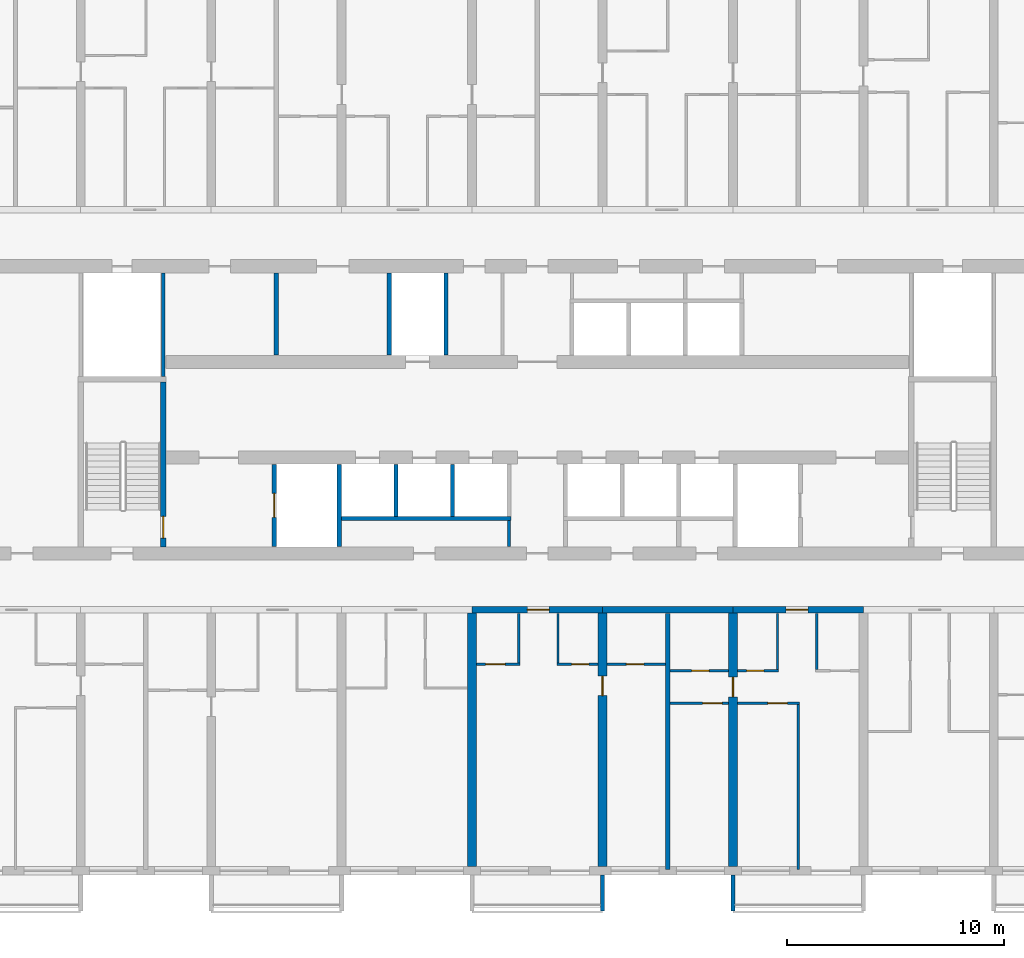
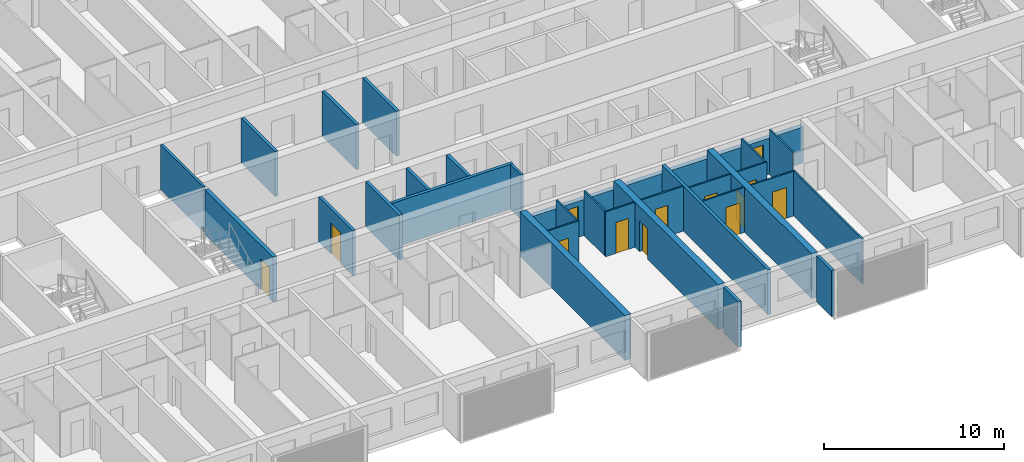
# One storey, part 6 of 38: 32 walls, 13 doors, 13 openings.
"""IFC4 building model written with IfcOpenShell, lengths in metres."""

from ifc_helpers import new_model, si_unit, direction, frame, frame_2d, origin, place, context, subcontext, project, spatial, polyline, rectangle, outline, extrude, source, transform, mapped, material, layer, layer_set, type_object, element, fill, save


model = new_model("IFC4")

# Units and contexts
model_context = context("Model", 3, precision=1e-05, world=origin(), true_north=direction((0.0, 1.0)))
body_context = subcontext(model_context, "Body", "Model", "MODEL_VIEW")
ifc_project = project(units=[si_unit("LENGTHUNIT", "METRE"), si_unit("AREAUNIT", "SQUARE_METRE"), si_unit("VOLUMEUNIT", "CUBIC_METRE"), si_unit("PLANEANGLEUNIT", "RADIAN"), si_unit("MASSUNIT", "GRAM", prefix="KILO")], contexts=[model_context])

# Site, building, storey
site_placement = place(None, origin())
site = spatial("IfcSite", under=ifc_project, at=site_placement, CompositionType="ELEMENT")
building_placement = place(site_placement, origin())
building = spatial("IfcBuilding", under=site, at=building_placement, Name="Poui Terraces", CompositionType="ELEMENT")
storey_placement = place(building_placement, frame((0.0, 0.0, 43.199951171875)))
storey = spatial("IfcBuildingStorey", under=building, at=storey_placement, Name="L11", CompositionType="ELEMENT", Elevation=43.199951171875)

# Wall
ifc_material_1 = material(Name="Fire-rated plasterboard wall")
ifc_layer_1 = layer(ifc_material_1, 0.14990234375)
ifc_layer_set_1 = layer_set([ifc_layer_1], Name="Fire-rated plasterboard wall")
wall_type_1 = type_object("IfcWallType", Name="CORRIDOR WALL 150", PredefinedType="PARTITIONING", material=ifc_layer_set_1)
wall_1_placement = place(storey_placement, frame((49.699951171875, 14.909912109375, 0.0), z_axis=(0.0, 0.0, 1.0), x_axis=(0.0, 1.0, 0.0)))
element("IfcWall", 1, at=wall_1_placement, inside=storey, type_object=wall_type_1, Name="CORRIDOR WALL 150", PredefinedType="PARTITIONING", context=body_context, shape_type="SweptSolid", body=[
    extrude(rectangle(XDim=1.190185546875, YDim=0.14990234375, at=frame_2d((0.59521484375, 0.0))), origin(), (0.0, 0.0, 1.0), 3.050048828125),
])

# Wall, opening, door
ifc_material_2 = material(Name="Concrete 80 MPa", Category="concrete")
ifc_layer_2 = layer(ifc_material_2, 0.300048828125)
ifc_layer_set_2 = layer_set([ifc_layer_2], Name="Concrete 80 MPa")
wall_type_2 = type_object("IfcWallType", Name="CORRIDOR WALL 300 80MPa", PredefinedType="SHEAR", material=ifc_layer_set_2)
wall_2_placement = place(storey_placement, frame((48.0, 12.0, 0.0), z_axis=(0.0, 0.0, 1.0), x_axis=(1.0, 0.0, 0.0)))
wall_2 = element("IfcWall", 2, at=wall_2_placement, inside=storey, type_object=wall_type_2, Name="CORRIDOR WALL LINE B BAY 9", PredefinedType="SHEAR", context=body_context, shape_type="SweptSolid", body=[
    extrude(rectangle(XDim=6.0, YDim=0.300048828125, at=frame_2d((3.0, 0.0))), origin(), (0.0, 0.0, 1.0), 2.449951171875),
])
opening_1_placement = place(wall_2_placement, frame((2.550048828125, 0.0, 0.0)))
opening_1 = element("IfcOpeningElement", 3, at=opening_1_placement, cuts=wall_2, Name="Opening FD30S", PredefinedType="OPENING", context=body_context, shape_type="SweptSolid", body=[
    extrude(rectangle(XDim=1.0, YDim=2.10009765625, at=frame_2d((0.5, 1.050048828125))), frame((0.0, 0.16015625, 0.0), z_axis=(0.0, -1.0, 0.0), x_axis=(1.0, 0.0, 0.0)), (0.0, 0.0, 1.0), 0.320068359375),
])
ifc_material_3 = material(Name="Steel fire door", Category="steel")
door_type_1 = type_object("IfcDoorType", Name="FLAT ENTRANCE DOOR 1000 X 2100", OperationType="NOTDEFINED", PredefinedType="DOOR", material=ifc_material_3)
door_1_placement = place(opening_1_placement, frame((1.0, 0.0, 0.0), z_axis=(0.0, 0.0, 1.0), x_axis=(-1.0, 0.0, 0.0)))
door_1 = element("IfcDoor", 4, at=door_1_placement, inside=storey, type_object=door_type_1, Name="FLAT ENTRANCE DOOR 119", OperationType="SINGLE_SWING_LEFT", OverallHeight=2.10009765625, OverallWidth=1.0, PredefinedType="DOOR", context=body_context, shape_type="SweptSolid", body=[
    extrude(rectangle(XDim=1.0, YDim=2.10009765625, at=frame_2d((0.5, 1.050048828125))), frame((0.0, 0.02490234375, 0.0), z_axis=(0.0, -1.0, 0.0), x_axis=(1.0, 0.0, 0.0)), (0.0, 0.0, 1.0), 0.050048828125),
])
fill(opening_1, door_1)

# Wall
wall_3_placement = place(storey_placement, frame((54.0, 12.0, 0.0), z_axis=(0.0, 0.0, 1.0), x_axis=(1.0, 0.0, 0.0)))
element("IfcWall", 5, at=wall_3_placement, inside=storey, type_object=wall_type_2, Name="CORRIDOR WALL LINE B BAY 10", PredefinedType="SHEAR", context=body_context, shape_type="SweptSolid", body=[
    extrude(rectangle(XDim=6.0, YDim=0.300048828125, at=frame_2d((3.0, 0.0))), origin(), (0.0, 0.0, 1.0), 2.449951171875),
])

# Wall, opening, door
wall_4_placement = place(storey_placement, frame((60.0, 12.0, 0.0), z_axis=(0.0, 0.0, 1.0), x_axis=(1.0, 0.0, 0.0)))
wall_4 = element("IfcWall", 6, at=wall_4_placement, inside=storey, type_object=wall_type_2, Name="CORRIDOR WALL LINE B BAY 11", PredefinedType="SHEAR", context=body_context, shape_type="SweptSolid", body=[
    extrude(rectangle(XDim=6.0, YDim=0.300048828125, at=frame_2d((3.0, 0.0))), origin(), (0.0, 0.0, 1.0), 2.449951171875),
])
opening_2_placement = place(wall_4_placement, frame((2.449951171875, 0.0, 0.0)))
opening_2 = element("IfcOpeningElement", 7, at=opening_2_placement, cuts=wall_4, Name="Opening FD30S", PredefinedType="OPENING", context=body_context, shape_type="SweptSolid", body=[
    extrude(rectangle(XDim=1.0, YDim=2.10009765625, at=frame_2d((0.5, 1.050048828125))), frame((0.0, 0.16015625, 0.0), z_axis=(0.0, -1.0, 0.0), x_axis=(1.0, 0.0, 0.0)), (0.0, 0.0, 1.0), 0.320068359375),
])
door_2_placement = place(opening_2_placement, frame((1.0, 0.0, 0.0), z_axis=(0.0, 0.0, 1.0), x_axis=(-1.0, 0.0, 0.0)))
door_2 = element("IfcDoor", 8, at=door_2_placement, inside=storey, type_object=door_type_1, Name="FLAT ENTRANCE DOOR 127", OperationType="SINGLE_SWING_RIGHT", OverallHeight=2.10009765625, OverallWidth=1.0, PredefinedType="DOOR", context=body_context, shape_type="SweptSolid", body=[
    extrude(rectangle(XDim=1.0, YDim=2.10009765625, at=frame_2d((0.5, 1.050048828125))), frame((0.0, 0.02490234375, 0.0), z_axis=(0.0, -1.0, 0.0), x_axis=(1.0, 0.0, 0.0)), (0.0, 0.0, 1.0), 0.050048828125),
])
fill(opening_2, door_2)

# Wall
ifc_layer_3 = layer(ifc_material_2, 0.39990234375)
ifc_layer_set_3 = layer_set([ifc_layer_3], Name="Concrete 80 MPa")
wall_type_3 = type_object("IfcWallType", Name="CROSS WALL 400 80MPa", PredefinedType="SHEAR", material=ifc_layer_set_3)
wall_5_placement = place(storey_placement, frame((48.0, 0.199951171875, 0.0), z_axis=(0.0, 0.0, 1.0), x_axis=(0.0, 1.0, 0.0)))
element("IfcWall", 9, at=wall_5_placement, inside=storey, type_object=wall_type_3, Name="CROSS WALL LINE 9 SOUTH", PredefinedType="SHEAR", context=body_context, shape_type="SweptSolid", body=[
    extrude(rectangle(XDim=11.650146484375, YDim=0.39990234375, at=frame_2d((5.8251953125, 0.0))), origin(), (0.0, 0.0, 1.0), 3.050048828125),
])

# Wall, opening, door
wall_6_placement = place(storey_placement, frame((54.0, 0.199951171875, 0.0), z_axis=(0.0, 0.0, 1.0), x_axis=(0.0, 1.0, 0.0)))
wall_6 = element("IfcWall", 10, at=wall_6_placement, inside=storey, type_object=wall_type_3, Name="CROSS WALL LINE 10 SOUTH", PredefinedType="SHEAR", context=body_context, shape_type="SweptSolid", body=[
    extrude(rectangle(XDim=11.650146484375, YDim=0.39990234375, at=frame_2d((5.8251953125, 0.0))), origin(), (0.0, 0.0, 1.0), 3.050048828125),
])
opening_3_placement = place(wall_6_placement, frame((7.85009765625, 0.0, 0.0)))
opening_3 = element("IfcOpeningElement", 11, at=opening_3_placement, cuts=wall_6, Name="Opening D90", PredefinedType="OPENING", context=body_context, shape_type="SweptSolid", body=[
    extrude(rectangle(XDim=0.89990234375, YDim=2.10009765625, at=frame_2d((0.449951171875, 1.050048828125))), frame((0.0, 0.2099609375, 0.0), z_axis=(0.0, -1.0, 0.0), x_axis=(1.0, 0.0, 0.0)), (0.0, 0.0, 1.0), 0.419921875),
])
ifc_material_4 = material(Name="Solid core timber door", Category="wood")
door_type_2 = type_object("IfcDoorType", Name="INTERNAL DOOR 900 X 2100", OperationType="NOTDEFINED", PredefinedType="DOOR", material=ifc_material_4)
door_3_placement = place(opening_3_placement, frame((0.89990234375, 0.0, 0.0), z_axis=(0.0, 0.0, 1.0), x_axis=(-1.0, 0.0, 0.0)))
door_3 = element("IfcDoor", 12, at=door_3_placement, inside=storey, type_object=door_type_2, Name="INTERNAL DOOR 121", OperationType="SINGLE_SWING_LEFT", OverallHeight=2.10009765625, OverallWidth=0.89990234375, PredefinedType="DOOR", context=body_context, shape_type="SweptSolid", body=[
    extrude(rectangle(XDim=0.89990234375, YDim=2.10009765625, at=frame_2d((0.449951171875, 1.050048828125))), frame((0.0, 0.02490234375, 0.0), z_axis=(0.0, -1.0, 0.0), x_axis=(1.0, 0.0, 0.0)), (0.0, 0.0, 1.0), 0.050048828125),
])
fill(opening_3, door_3)

wall_7_placement = place(storey_placement, frame((60.0, 0.199951171875, 0.0), z_axis=(0.0, 0.0, 1.0), x_axis=(0.0, 1.0, 0.0)))
wall_7 = element("IfcWall", 13, at=wall_7_placement, inside=storey, type_object=wall_type_3, Name="CROSS WALL LINE 11 SOUTH", PredefinedType="SHEAR", context=body_context, shape_type="SweptSolid", body=[
    extrude(rectangle(XDim=11.650146484375, YDim=0.39990234375, at=frame_2d((5.8251953125, 0.0))), origin(), (0.0, 0.0, 1.0), 3.050048828125),
])
opening_4_placement = place(wall_7_placement, frame((7.800048828125, 0.0, 0.0)))
opening_4 = element("IfcOpeningElement", 14, at=opening_4_placement, cuts=wall_7, Name="Opening D90", PredefinedType="OPENING", context=body_context, shape_type="SweptSolid", body=[
    extrude(rectangle(XDim=0.89990234375, YDim=2.10009765625, at=frame_2d((0.449951171875, 1.050048828125))), frame((0.0, 0.2099609375, 0.0), z_axis=(0.0, -1.0, 0.0), x_axis=(1.0, 0.0, 0.0)), (0.0, 0.0, 1.0), 0.419921875),
])
door_4_placement = place(opening_4_placement, frame((0.89990234375, 0.0, 0.0), z_axis=(0.0, 0.0, 1.0), x_axis=(-1.0, 0.0, 0.0)))
door_4 = element("IfcDoor", 15, at=door_4_placement, inside=storey, type_object=door_type_2, Name="INTERNAL DOOR 124", OperationType="SINGLE_SWING_LEFT", OverallHeight=2.10009765625, OverallWidth=0.89990234375, PredefinedType="DOOR", context=body_context, shape_type="SweptSolid", body=[
    extrude(rectangle(XDim=0.89990234375, YDim=2.10009765625, at=frame_2d((0.449951171875, 1.050048828125))), frame((0.0, 0.02490234375, 0.0), z_axis=(0.0, -1.0, 0.0), x_axis=(1.0, 0.0, 0.0)), (0.0, 0.0, 1.0), 0.050048828125),
])
fill(opening_4, door_4)

ifc_material_5 = material(Name="Plasterboard partition")
ifc_layer_4 = layer(ifc_material_5, 0.10009765625)
ifc_layer_set_4 = layer_set([ifc_layer_4], Name="Plasterboard partition")
wall_type_4 = type_object("IfcWallType", Name="FLAT PARTITION 100", PredefinedType="PARTITIONING", material=ifc_layer_set_4)
wall_8_placement = place(storey_placement, frame((57.10009765625, 7.699951171875, 0.0), z_axis=(0.0, 0.0, 1.0), x_axis=(1.0, 0.0, 0.0)))
wall_8 = element("IfcWall", 16, at=wall_8_placement, inside=storey, type_object=wall_type_4, Name="FLAT PARTITION 100", PredefinedType="PARTITIONING", context=body_context, shape_type="SweptSolid", body=[
    extrude(rectangle(XDim=2.68994140625, YDim=0.10009765625, at=frame_2d((1.344970703125, 0.0))), origin(), (0.0, 0.0, 1.0), 3.050048828125),
])
opening_5_placement = place(wall_8_placement, frame((1.5, 0.0, 0.0)))
opening_5 = element("IfcOpeningElement", 17, at=opening_5_placement, cuts=wall_8, Name="Opening D90", PredefinedType="OPENING", context=body_context, shape_type="SweptSolid", body=[
    extrude(rectangle(XDim=0.89990234375, YDim=2.10009765625, at=frame_2d((0.449951171875, 1.050048828125))), frame((0.0, 0.06005859375, 0.0), z_axis=(0.0, -1.0, 0.0), x_axis=(1.0, 0.0, 0.0)), (0.0, 0.0, 1.0), 0.1201171875),
])
door_5_placement = place(opening_5_placement, frame((0.89990234375, 0.0, 0.0), z_axis=(0.0, 0.0, 1.0), x_axis=(-1.0, 0.0, 0.0)))
door_5 = element("IfcDoor", 18, at=door_5_placement, inside=storey, type_object=door_type_2, Name="INTERNAL DOOR 123", OperationType="SINGLE_SWING_LEFT", OverallHeight=2.10009765625, OverallWidth=0.89990234375, PredefinedType="DOOR", context=body_context, shape_type="SweptSolid", body=[
    extrude(rectangle(XDim=0.89990234375, YDim=2.10009765625, at=frame_2d((0.449951171875, 1.050048828125))), frame((0.0, 0.02490234375, 0.0), z_axis=(0.0, -1.0, 0.0), x_axis=(1.0, 0.0, 0.0)), (0.0, 0.0, 1.0), 0.050048828125),
])
fill(opening_5, door_5)

wall_9_placement = place(storey_placement, frame((60.2099609375, 7.699951171875, 0.0), z_axis=(0.0, 0.0, 1.0), x_axis=(1.0, 0.0, 0.0)))
wall_9 = element("IfcWall", 19, at=wall_9_placement, inside=storey, type_object=wall_type_4, Name="FLAT PARTITION 100", PredefinedType="PARTITIONING", context=body_context, shape_type="SweptSolid", body=[
    extrude(rectangle(XDim=2.840087890625, YDim=0.10009765625, at=frame_2d((1.419921875, 0.0))), origin(), (0.0, 0.0, 1.0), 3.050048828125),
])
opening_6_placement = place(wall_9_placement, frame((1.389892578125, 0.0, 0.0)))
opening_6 = element("IfcOpeningElement", 20, at=opening_6_placement, cuts=wall_9, Name="Opening D90", PredefinedType="OPENING", context=body_context, shape_type="SweptSolid", body=[
    extrude(rectangle(XDim=0.89990234375, YDim=2.10009765625, at=frame_2d((0.449951171875, 1.050048828125))), frame((0.0, 0.06005859375, 0.0), z_axis=(0.0, -1.0, 0.0), x_axis=(1.0, 0.0, 0.0)), (0.0, 0.0, 1.0), 0.1201171875),
])
door_6_placement = place(opening_6_placement, origin())
door_6 = element("IfcDoor", 21, at=door_6_placement, inside=storey, type_object=door_type_2, Name="INTERNAL DOOR 126", OperationType="SINGLE_SWING_LEFT", OverallHeight=2.10009765625, OverallWidth=0.89990234375, PredefinedType="DOOR", context=body_context, shape_type="SweptSolid", body=[
    extrude(rectangle(XDim=0.89990234375, YDim=2.10009765625, at=frame_2d((0.449951171875, 1.050048828125))), frame((0.0, 0.02490234375, 0.0), z_axis=(0.0, -1.0, 0.0), x_axis=(1.0, 0.0, 0.0)), (0.0, 0.0, 1.0), 0.050048828125),
])
fill(opening_6, door_6)

wall_10_placement = place(storey_placement, frame((57.10009765625, 9.199951171875, 0.0), z_axis=(0.0, 0.0, 1.0), x_axis=(1.0, 0.0, 0.0)))
wall_10 = element("IfcWall", 22, at=wall_10_placement, inside=storey, type_object=wall_type_4, Name="FLAT PARTITION 100", PredefinedType="PARTITIONING", context=body_context, shape_type="SweptSolid", body=[
    extrude(rectangle(XDim=2.68994140625, YDim=0.10009765625, at=frame_2d((1.344970703125, 0.0))), origin(), (0.0, 0.0, 1.0), 3.050048828125),
])
opening_7_placement = place(wall_10_placement, frame((1.0, 0.0, 0.0)))
opening_7 = element("IfcOpeningElement", 23, at=opening_7_placement, cuts=wall_10, Name="Opening D80", PredefinedType="OPENING", context=body_context, shape_type="SweptSolid", body=[
    extrude(rectangle(XDim=0.800048828125, YDim=2.10009765625, at=frame_2d((0.39990234375, 1.050048828125))), frame((0.0, 0.06005859375, 0.0), z_axis=(0.0, -1.0, 0.0), x_axis=(1.0, 0.0, 0.0)), (0.0, 0.0, 1.0), 0.1201171875),
])
door_type_3 = type_object("IfcDoorType", Name="BATHROOM, LAUNDRY AND STORE DOOR 800 X 2100", OperationType="NOTDEFINED", PredefinedType="DOOR", material=ifc_material_4)
door_7_placement = place(opening_7_placement, origin())
door_7 = element("IfcDoor", 24, at=door_7_placement, inside=storey, type_object=door_type_3, Name="BATHROOM, LAUNDRY AND STORE DOOR 122", OperationType="SINGLE_SWING_LEFT", OverallHeight=2.10009765625, OverallWidth=0.800048828125, PredefinedType="DOOR", context=body_context, shape_type="SweptSolid", body=[
    extrude(rectangle(XDim=0.800048828125, YDim=2.10009765625, at=frame_2d((0.39990234375, 1.050048828125))), frame((0.0, 0.02490234375, 0.0), z_axis=(0.0, -1.0, 0.0), x_axis=(1.0, 0.0, 0.0)), (0.0, 0.0, 1.0), 0.050048828125),
])
fill(opening_7, door_7)

wall_11_placement = place(storey_placement, frame((60.2099609375, 9.199951171875, 0.0), z_axis=(0.0, 0.0, 1.0), x_axis=(1.0, 0.0, 0.0)))
wall_11 = element("IfcWall", 25, at=wall_11_placement, inside=storey, type_object=wall_type_4, Name="FLAT PARTITION 100", PredefinedType="PARTITIONING", context=body_context, shape_type="SweptSolid", body=[
    extrude(rectangle(XDim=1.89013671875, YDim=0.10009765625, at=frame_2d((0.945068359375, 0.0))), origin(), (0.0, 0.0, 1.0), 3.050048828125),
])
opening_8_placement = place(wall_11_placement, frame((0.4150390625, 0.0, 0.0)))
opening_8 = element("IfcOpeningElement", 26, at=opening_8_placement, cuts=wall_11, Name="Opening D80", PredefinedType="OPENING", context=body_context, shape_type="SweptSolid", body=[
    extrude(rectangle(XDim=0.800048828125, YDim=2.10009765625, at=frame_2d((0.39990234375, 1.050048828125))), frame((0.0, 0.06005859375, 0.0), z_axis=(0.0, -1.0, 0.0), x_axis=(1.0, 0.0, 0.0)), (0.0, 0.0, 1.0), 0.1201171875),
])
door_8_placement = place(opening_8_placement, origin())
door_8 = element("IfcDoor", 27, at=door_8_placement, inside=storey, type_object=door_type_3, Name="BATHROOM, LAUNDRY AND STORE DOOR 125", OperationType="SINGLE_SWING_RIGHT", OverallHeight=2.10009765625, OverallWidth=0.800048828125, PredefinedType="DOOR", context=body_context, shape_type="SweptSolid", body=[
    extrude(rectangle(XDim=0.800048828125, YDim=2.10009765625, at=frame_2d((0.39990234375, 1.050048828125))), frame((0.0, 0.02490234375, 0.0), z_axis=(0.0, -1.0, 0.0), x_axis=(1.0, 0.0, 0.0)), (0.0, 0.0, 1.0), 0.050048828125),
])
fill(opening_8, door_8)

wall_12_placement = place(storey_placement, frame((48.2099609375, 9.5, 0.0), z_axis=(0.0, 0.0, 1.0), x_axis=(1.0, 0.0, 0.0)))
wall_12 = element("IfcWall", 28, at=wall_12_placement, inside=storey, type_object=wall_type_4, Name="FLAT PARTITION 100", PredefinedType="PARTITIONING", context=body_context, shape_type="SweptSolid", body=[
    extrude(rectangle(XDim=1.989990234375, YDim=0.10009765625, at=frame_2d((0.9951171875, 0.0))), origin(), (0.0, 0.0, 1.0), 3.050048828125),
])
opening_9_placement = place(wall_12_placement, frame((0.4150390625, 0.0, 0.0)))
opening_9 = element("IfcOpeningElement", 29, at=opening_9_placement, cuts=wall_12, Name="Opening D90", PredefinedType="OPENING", context=body_context, shape_type="SweptSolid", body=[
    extrude(rectangle(XDim=0.89990234375, YDim=2.10009765625, at=frame_2d((0.449951171875, 1.050048828125))), frame((0.0, 0.06005859375, 0.0), z_axis=(0.0, -1.0, 0.0), x_axis=(1.0, 0.0, 0.0)), (0.0, 0.0, 1.0), 0.1201171875),
])
door_9_placement = place(opening_9_placement, origin())
door_9 = element("IfcDoor", 30, at=door_9_placement, inside=storey, type_object=door_type_2, Name="INTERNAL DOOR 118", OperationType="SINGLE_SWING_RIGHT", OverallHeight=2.10009765625, OverallWidth=0.89990234375, PredefinedType="DOOR", context=body_context, shape_type="SweptSolid", body=[
    extrude(rectangle(XDim=0.89990234375, YDim=2.10009765625, at=frame_2d((0.449951171875, 1.050048828125))), frame((0.0, 0.02490234375, 0.0), z_axis=(0.0, -1.0, 0.0), x_axis=(1.0, 0.0, 0.0)), (0.0, 0.0, 1.0), 0.050048828125),
])
fill(opening_9, door_9)

wall_13_placement = place(storey_placement, frame((51.89990234375, 9.5, 0.0), z_axis=(0.0, 0.0, 1.0), x_axis=(1.0, 0.0, 0.0)))
wall_13 = element("IfcWall", 31, at=wall_13_placement, inside=storey, type_object=wall_type_4, Name="FLAT PARTITION 100", PredefinedType="PARTITIONING", context=body_context, shape_type="SweptSolid", body=[
    extrude(rectangle(XDim=1.89013671875, YDim=0.10009765625, at=frame_2d((0.945068359375, 0.0))), origin(), (0.0, 0.0, 1.0), 3.050048828125),
])
opening_10_placement = place(wall_13_placement, frame((0.675048828125, 0.0, 0.0)))
opening_10 = element("IfcOpeningElement", 32, at=opening_10_placement, cuts=wall_13, Name="Opening D80", PredefinedType="OPENING", context=body_context, shape_type="SweptSolid", body=[
    extrude(rectangle(XDim=0.800048828125, YDim=2.10009765625, at=frame_2d((0.39990234375, 1.050048828125))), frame((0.0, 0.06005859375, 0.0), z_axis=(0.0, -1.0, 0.0), x_axis=(1.0, 0.0, 0.0)), (0.0, 0.0, 1.0), 0.1201171875),
])
door_10_placement = place(opening_10_placement, origin())
door_10 = element("IfcDoor", 33, at=door_10_placement, inside=storey, type_object=door_type_3, Name="BATHROOM, LAUNDRY AND STORE DOOR 120", OperationType="SINGLE_SWING_LEFT", OverallHeight=2.10009765625, OverallWidth=0.800048828125, PredefinedType="DOOR", context=body_context, shape_type="SweptSolid", body=[
    extrude(rectangle(XDim=0.800048828125, YDim=2.10009765625, at=frame_2d((0.39990234375, 1.050048828125))), frame((0.0, 0.02490234375, 0.0), z_axis=(0.0, -1.0, 0.0), x_axis=(1.0, 0.0, 0.0)), (0.0, 0.0, 1.0), 0.050048828125),
])
fill(opening_10, door_10)

wall_14_placement = place(storey_placement, frame((54.2099609375, 9.5, 0.0), z_axis=(0.0, 0.0, 1.0), x_axis=(1.0, 0.0, 0.0)))
wall_14 = element("IfcWall", 34, at=wall_14_placement, inside=storey, type_object=wall_type_4, Name="FLAT PARTITION 100", PredefinedType="PARTITIONING", context=body_context, shape_type="SweptSolid", body=[
    extrude(rectangle(XDim=2.68994140625, YDim=0.10009765625, at=frame_2d((1.344970703125, 0.0))), origin(), (0.0, 0.0, 1.0), 3.050048828125),
])
opening_11_placement = place(wall_14_placement, frame((0.889892578125, 0.0, 0.0)))
opening_11 = element("IfcOpeningElement", 35, at=opening_11_placement, cuts=wall_14, Name="Opening D80", PredefinedType="OPENING", context=body_context, shape_type="SweptSolid", body=[
    extrude(rectangle(XDim=0.800048828125, YDim=2.10009765625, at=frame_2d((0.39990234375, 1.050048828125))), frame((0.0, 0.06005859375, 0.0), z_axis=(0.0, -1.0, 0.0), x_axis=(1.0, 0.0, 0.0)), (0.0, 0.0, 1.0), 0.1201171875),
])
door_11_placement = place(opening_11_placement, origin())
door_11 = element("IfcDoor", 36, at=door_11_placement, inside=storey, type_object=door_type_3, Name="BATHROOM, LAUNDRY AND STORE DOOR 117", OperationType="SINGLE_SWING_LEFT", OverallHeight=2.10009765625, OverallWidth=0.800048828125, PredefinedType="DOOR", context=body_context, shape_type="SweptSolid", body=[
    extrude(rectangle(XDim=0.800048828125, YDim=2.10009765625, at=frame_2d((0.39990234375, 1.050048828125))), frame((0.0, 0.02490234375, 0.0), z_axis=(0.0, -1.0, 0.0), x_axis=(1.0, 0.0, 0.0)), (0.0, 0.0, 1.0), 0.050048828125),
])
fill(opening_11, door_11)

# Walls
for number, where, z_axis, x_axis, name in (
    (37, (50.14990234375, 9.550048828125, 0.0), (0.0, 0.0, 1.0), (0.0, 1.0, 0.0), "FLAT PARTITION 100"),
    (38, (51.949951171875, 9.550048828125, 0.0), (0.0, 0.0, 1.0), (0.0, 1.0, 0.0), "FLAT PARTITION 100"),
):
    element("IfcWall", number, at=place(storey_placement, frame(where, z_axis=z_axis, x_axis=x_axis)), inside=storey, type_object=wall_type_4, Name=name, PredefinedType="PARTITIONING", context=body_context, shape_type="SweptSolid", body=[
        extrude(rectangle(XDim=2.2900390625, YDim=0.10009765625, at=frame_2d((1.14501953125, 0.0))), origin(), (0.0, 0.0, 1.0), 3.050048828125),
    ])
wall_15_placement = place(storey_placement, frame((62.050048828125, 9.25, 0.0), z_axis=(0.0, 0.0, 1.0), x_axis=(0.0, 1.0, 0.0)))
element("IfcWall", 39, at=wall_15_placement, inside=storey, type_object=wall_type_4, Name="FLAT PARTITION 100", PredefinedType="PARTITIONING", context=body_context, shape_type="SweptSolid", body=[
    extrude(rectangle(XDim=2.590087890625, YDim=0.10009765625, at=frame_2d((1.294921875, 0.0))), origin(), (0.0, 0.0, 1.0), 3.050048828125),
])
wall_16_placement = place(storey_placement, frame((63.0, 0.06005859375, 0.0), z_axis=(0.0, 0.0, 1.0), x_axis=(0.0, 1.0, 0.0)))
element("IfcWall", 40, at=wall_16_placement, inside=storey, type_object=wall_type_4, Name="FLAT PARTITION 100", PredefinedType="PARTITIONING", context=body_context, shape_type="SweptSolid", body=[
    extrude(rectangle(XDim=7.58984375, YDim=0.10009765625, at=frame_2d((3.794921875, 0.0))), origin(), (0.0, 0.0, 1.0), 3.050048828125),
])
wall_17_placement = place(storey_placement, frame((63.85009765625, 9.25, 0.0), z_axis=(0.0, 0.0, 1.0), x_axis=(0.0, 1.0, 0.0)))
element("IfcWall", 41, at=wall_17_placement, inside=storey, type_object=wall_type_4, Name="FLAT PARTITION 100", PredefinedType="PARTITIONING", context=body_context, shape_type="SweptSolid", body=[
    extrude(rectangle(XDim=2.590087890625, YDim=0.10009765625, at=frame_2d((1.294921875, 0.0))), origin(), (0.0, 0.0, 1.0), 3.050048828125),
])
ifc_material_6 = material(Name="Fire-rated masonry wall", Category="masonry")
ifc_layer_5 = layer(ifc_material_6, 0.199951171875)
ifc_layer_set_5 = layer_set([ifc_layer_5], Name="Fire-rated masonry wall")
wall_type_5 = type_object("IfcWallType", Name="FLAT PARTY WALL 200", PredefinedType="PARTITIONING", material=ifc_layer_set_5)
wall_18_placement = place(storey_placement, frame((57.0, 0.06005859375, 0.0), z_axis=(0.0, 0.0, 1.0), x_axis=(0.0, 1.0, 0.0)))
element("IfcWall", 42, at=wall_18_placement, inside=storey, type_object=wall_type_5, Name="FLAT PARTY WALL 200", PredefinedType="PARTITIONING", context=body_context, shape_type="SweptSolid", body=[
    extrude(rectangle(XDim=11.780029296875, YDim=0.199951171875, at=frame_2d((5.89013671875, 0.0))), origin(), (0.0, 0.0, 1.0), 3.050048828125),
])
ifc_layer_6 = layer(ifc_material_6, 0.199951171875)
ifc_layer_set_6 = layer_set([ifc_layer_6], Name="Fire-rated masonry wall")
wall_type_6 = type_object("IfcWallType", Name="PLANT ROOM WALL 200", PredefinedType="PARTITIONING", material=ifc_layer_set_6)
wall_19_placement = place(storey_placement, frame((39.0, 23.7099609375, 0.0), z_axis=(0.0, 0.0, 1.0), x_axis=(0.0, 1.0, 0.0)))
element("IfcWall", 43, at=wall_19_placement, inside=storey, type_object=wall_type_6, Name="PLANT ROOM WALL 200", PredefinedType="PARTITIONING", context=body_context, shape_type="SweptSolid", body=[
    extrude(rectangle(XDim=3.780029296875, YDim=0.199951171875, at=frame_2d((1.89013671875, 0.0))), origin(), (0.0, 0.0, 1.0), 3.050048828125),
])
ifc_material_7 = material(Name="Fire-rated plasterboard riser wall")
ifc_layer_7 = layer(ifc_material_7, 0.14990234375)
ifc_layer_set_7 = layer_set([ifc_layer_7], Name="Fire-rated plasterboard riser wall")
wall_type_7 = type_object("IfcWallType", Name="RISER WALL 150", PredefinedType="PARTITIONING", material=ifc_layer_set_7)
wall_20_placement = place(storey_placement, frame((33.800048828125, 22.735107421875, 0.0), z_axis=(0.0, 0.0, 1.0), x_axis=(0.0, 1.0, 0.0)))
element("IfcWall", 44, at=wall_20_placement, inside=storey, type_object=wall_type_7, Name="RISER WALL 150", PredefinedType="PARTITIONING", context=body_context, shape_type="SweptSolid", body=[
    extrude(rectangle(XDim=4.7548828125, YDim=0.14990234375, at=frame_2d((2.37744140625, 0.0))), origin(), (0.0, 0.0, 1.0), 3.050048828125),
])
ifc_material_8 = material(Name="Fire-rated masonry shaft wall", Category="masonry")
ifc_layer_8 = layer(ifc_material_8, 0.199951171875)
ifc_layer_set_8 = layer_set([ifc_layer_8], Name="Fire-rated masonry shaft wall")
wall_type_8 = type_object("IfcWallType", Name="SHAFT WALL 200", PredefinedType="PARTITIONING", material=ifc_layer_set_8)
wall_21_placement = place(storey_placement, frame((42.0, 16.199951171875, 0.0), z_axis=(0.0, 0.0, 1.0), x_axis=(1.0, 0.0, 0.0)))
element("IfcWall", 45, at=wall_21_placement, inside=storey, type_object=wall_type_8, Name="SHAFT WALL 200", PredefinedType="PARTITIONING", context=body_context, shape_type="SweptSolid", body=[
    extrude(rectangle(XDim=7.800048828125, YDim=0.199951171875, at=frame_2d((3.89990234375, 0.0))), origin(), (0.0, 0.0, 1.0), 3.050048828125),
])

# Wall, opening, door
wall_22_placement = place(storey_placement, frame((38.89990234375, 14.909912109375, 0.0), z_axis=(0.0, 0.0, 1.0), x_axis=(0.0, 1.0, 0.0)))
wall_22 = element("IfcWall", 46, at=wall_22_placement, inside=storey, type_object=wall_type_8, Name="SHAFT WALL 200", PredefinedType="PARTITIONING", context=body_context, shape_type="SweptSolid", body=[
    extrude(rectangle(XDim=3.780029296875, YDim=0.199951171875, at=frame_2d((1.89013671875, 0.0))), origin(), (0.0, 0.0, 1.0), 3.050048828125),
])
opening_12_placement = place(wall_22_placement, frame((1.340087890625, 0.0, 0.0)))
opening_12 = element("IfcOpeningElement", 47, at=opening_12_placement, cuts=wall_22, Name="Opening LD", PredefinedType="OPENING", context=body_context, shape_type="SweptSolid", body=[
    extrude(rectangle(XDim=1.10009765625, YDim=2.10009765625, at=frame_2d((0.550048828125, 1.050048828125))), frame((0.0, 0.10986328125, 0.0), z_axis=(0.0, -1.0, 0.0), x_axis=(1.0, 0.0, 0.0)), (0.0, 0.0, 1.0), 0.219970703125),
])
ifc_material_9 = material(Name="Stainless steel sliding door", Category="steel")
door_type_4 = type_object("IfcDoorType", Name="LIFT LANDING DOOR 1100 X 2100", OperationType="DOUBLE_DOOR_SLIDING", PredefinedType="DOOR", material=ifc_material_9)
door_12_placement = place(opening_12_placement, origin())
door_12 = element("IfcDoor", 48, at=door_12_placement, inside=storey, type_object=door_type_4, Name="LANDING DOOR", OperationType="DOUBLE_DOOR_SLIDING", OverallHeight=2.10009765625, OverallWidth=1.10009765625, PredefinedType="DOOR", context=body_context, shape_type="SweptSolid", body=[
    extrude(rectangle(XDim=1.10009765625, YDim=2.10009765625, at=frame_2d((0.550048828125, 1.050048828125))), frame((0.0, 0.02490234375, 0.0), z_axis=(0.0, -1.0, 0.0), x_axis=(1.0, 0.0, 0.0)), (0.0, 0.0, 1.0), 0.050048828125),
])
fill(opening_12, door_12)

# Walls
for number, where, z_axis, x_axis, name in (
    (49, (41.89990234375, 14.909912109375, 0.0), (0.0, 0.0, 1.0), (0.0, 1.0, 0.0), "SHAFT WALL 200"),
    (50, (44.199951171875, 23.7099609375, 0.0), (0.0, 0.0, 1.0), (0.0, 1.0, 0.0), "SHAFT WALL 200"),
):
    element("IfcWall", number, at=place(storey_placement, frame(where, z_axis=z_axis, x_axis=x_axis)), inside=storey, type_object=wall_type_8, Name=name, PredefinedType="PARTITIONING", context=body_context, shape_type="SweptSolid", body=[
        extrude(rectangle(XDim=3.780029296875, YDim=0.199951171875, at=frame_2d((1.89013671875, 0.0))), origin(), (0.0, 0.0, 1.0), 3.050048828125),
    ])
wall_23_placement = place(storey_placement, frame((44.5, 16.300048828125, 0.0), z_axis=(0.0, 0.0, 1.0), x_axis=(0.0, 1.0, 0.0)))
element("IfcWall", 51, at=wall_23_placement, inside=storey, type_object=wall_type_8, Name="SHAFT WALL 200", PredefinedType="PARTITIONING", context=body_context, shape_type="SweptSolid", body=[
    extrude(rectangle(XDim=2.389892578125, YDim=0.199951171875, at=frame_2d((1.19482421875, 0.0))), origin(), (0.0, 0.0, 1.0), 3.050048828125),
])
wall_24_placement = place(storey_placement, frame((46.800048828125, 23.7099609375, 0.0), z_axis=(0.0, 0.0, 1.0), x_axis=(0.0, 1.0, 0.0)))
element("IfcWall", 52, at=wall_24_placement, inside=storey, type_object=wall_type_8, Name="SHAFT WALL 200", PredefinedType="PARTITIONING", context=body_context, shape_type="SweptSolid", body=[
    extrude(rectangle(XDim=3.780029296875, YDim=0.199951171875, at=frame_2d((1.89013671875, 0.0))), origin(), (0.0, 0.0, 1.0), 3.050048828125),
])
wall_25_placement = place(storey_placement, frame((47.10009765625, 16.300048828125, 0.0), z_axis=(0.0, 0.0, 1.0), x_axis=(0.0, 1.0, 0.0)))
element("IfcWall", 53, at=wall_25_placement, inside=storey, type_object=wall_type_8, Name="SHAFT WALL 200", PredefinedType="PARTITIONING", context=body_context, shape_type="SweptSolid", body=[
    extrude(rectangle(XDim=2.389892578125, YDim=0.199951171875, at=frame_2d((1.19482421875, 0.0))), origin(), (0.0, 0.0, 1.0), 3.050048828125),
])

# Wall, opening, door
ifc_layer_9 = layer(ifc_material_2, 0.25)
ifc_layer_set_9 = layer_set([ifc_layer_9], Name="Concrete 80 MPa")
wall_type_9 = type_object("IfcWallType", Name="STAIR CORE WALL 250 80 MPA", PredefinedType="SOLIDWALL", material=ifc_layer_set_9)
wall_26_placement = place(storey_placement, frame((33.800048828125, 14.89990234375, 0.0), z_axis=(0.0, 0.0, 1.0), x_axis=(0.0, 1.0, 0.0)))
wall_26 = element("IfcWall", 54, at=wall_26_placement, inside=storey, type_object=wall_type_9, Name="STAIR CORE WALL", PredefinedType="SOLIDWALL", context=body_context, shape_type="SweptSolid", body=[
    extrude(rectangle(XDim=7.5751953125, YDim=0.25, at=frame_2d((3.78759765625, 0.0))), origin(), (0.0, 0.0, 1.0), 3.050048828125),
])
opening_13_placement = place(wall_26_placement, frame((0.39990234375, 0.0, 0.0)))
opening_13 = element("IfcOpeningElement", 55, at=opening_13_placement, cuts=wall_26, Name="Opening FD60S", PredefinedType="OPENING", context=body_context, shape_type="SweptSolid", body=[
    extrude(rectangle(XDim=1.0, YDim=2.10009765625, at=frame_2d((0.5, 1.050048828125))), frame((0.0, 0.135009765625, 0.0), z_axis=(0.0, -1.0, 0.0), x_axis=(1.0, 0.0, 0.0)), (0.0, 0.0, 1.0), 0.27001953125),
])
door_type_5 = type_object("IfcDoorType", Name="STAIR DOOR 1000 X 2100", OperationType="NOTDEFINED", PredefinedType="DOOR", material=ifc_material_3)
door_13_placement = place(opening_13_placement, origin())
door_13 = element("IfcDoor", 56, at=door_13_placement, inside=storey, type_object=door_type_5, Name="STAIR DOOR 150", OperationType="SINGLE_SWING_LEFT", OverallHeight=2.10009765625, OverallWidth=1.0, PredefinedType="DOOR", context=body_context, shape_type="SweptSolid", body=[
    extrude(rectangle(XDim=1.0, YDim=2.10009765625, at=frame_2d((0.5, 1.050048828125))), frame((0.0, 0.02490234375, 0.0), z_axis=(0.0, -1.0, 0.0), x_axis=(1.0, 0.0, 0.0)), (0.0, 0.0, 1.0), 0.050048828125),
])
fill(opening_13, door_13)

# Walls
ifc_material_10 = material(Name="Precast concrete 40 MPa", Category="concrete")
ifc_layer_10 = layer(ifc_material_10, 0.199951171875)
ifc_layer_set_10 = layer_set([ifc_layer_10], Name="Precast concrete 40 MPa")
wall_type_10 = type_object("IfcWallType", Name="REAR FIN 200", PredefinedType="STANDARD", material=ifc_layer_set_10)
shared_shape = source(origin(), body_context, "Body", "SweptSolid", [
    extrude(outline(polyline([(0.0, 0.0), (0.2001953125, 0.0), (0.2001953125, 1.650146484375), (0.0, 1.650146484375), (0.0, 0.0)])), origin(), (0.0, 0.0, 1.0), 3.10009765625),
])
for number, where, name in (
    (57, (53.89990234375, -1.85009765625, 0.0), "REAR FIN"),
    (58, (59.89990234375, -1.85009765625, 0.0), "REAR FIN"),
):
    element("IfcWall", number, at=place(storey_placement, frame(where)), inside=storey, type_object=wall_type_10, Name=name, PredefinedType="STANDARD", context=body_context, shape_type="MappedRepresentation", body=[
        mapped(shared_shape, transform((0.0, 0.0, 0.0))),
    ])

save(model, "model.ifc")
